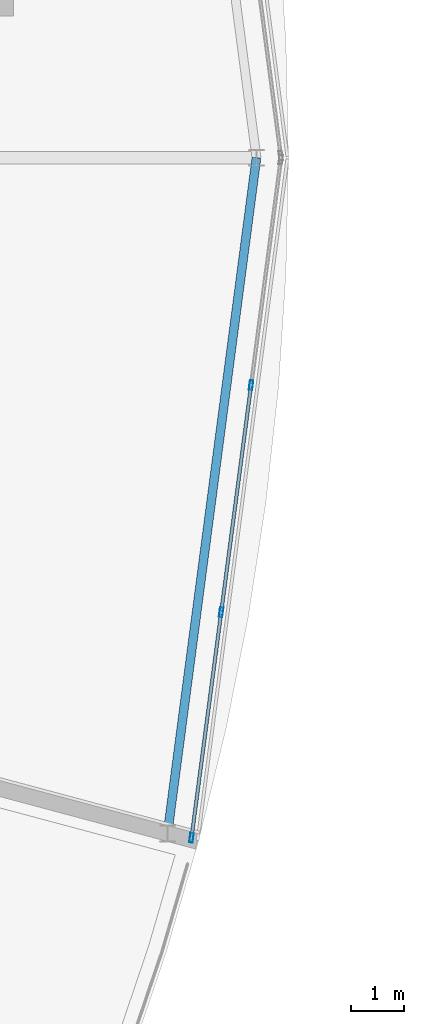
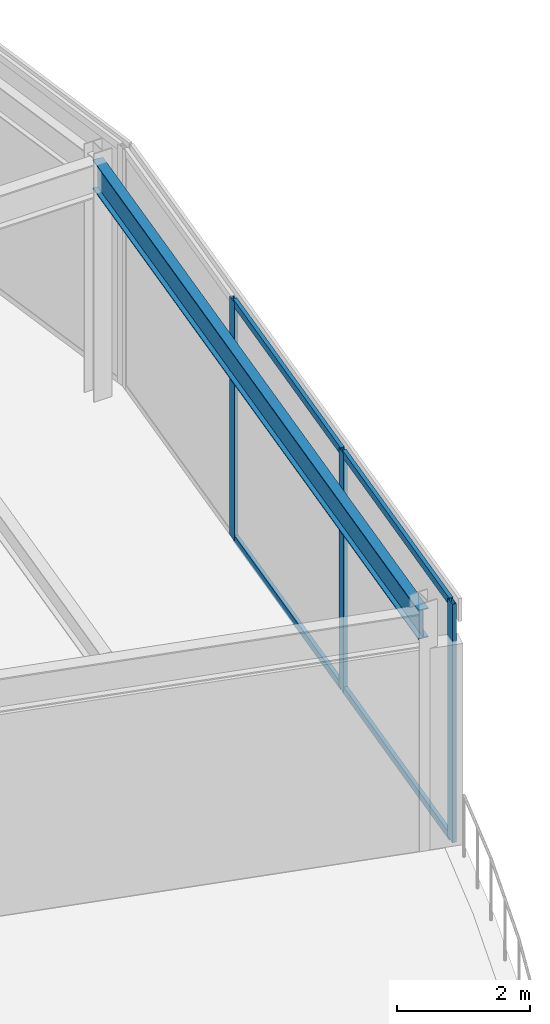
# One storey, part 70 of 116: 7 members, 1 beam, 1 element without a shape of its own.
"""IFC4 building model written with IfcOpenShell, lengths in metres."""

from ifc_helpers import new_model, si_unit, direction, frame, origin, origin_2d, place, context, subcontext, project, spatial, hollow_rectangle, i_section, extrude, material, material_profile, profile_set, type_object, element, aggregate, save


model = new_model("IFC4")

# Units and contexts
model_context = context("Model", 3, precision=1e-05, world=origin(), true_north=direction((0.0, 1.0)))
body_context = subcontext(model_context, "Body", "Model", "MODEL_VIEW")
ifc_project = project(units=[si_unit("LENGTHUNIT", "METRE"), si_unit("AREAUNIT", "SQUARE_METRE"), si_unit("VOLUMEUNIT", "CUBIC_METRE"), si_unit("PLANEANGLEUNIT", "RADIAN"), si_unit("MASSUNIT", "GRAM", prefix="KILO")], contexts=[model_context])

# Site, building, storey
site_placement = place(None, origin())
site = spatial("IfcSite", under=ifc_project, at=site_placement, CompositionType="ELEMENT")
building_placement = place(site_placement, origin())
building = spatial("IfcBuilding", under=site, at=building_placement, Name="Almandine Court Research Institute", CompositionType="ELEMENT")
storey_placement = place(building_placement, frame((0.0, 0.0, 14.35009765625)))
storey = spatial("IfcBuildingStorey", under=building, at=storey_placement, Name="L03", CompositionType="ELEMENT", Elevation=14.35009765625)

# Beam
ifc_material_1 = material(Name="Steel ASTM A992 Grade 50", Category="steel")
ifc_material_profile_1 = material_profile(ifc_material_1, i_section(OverallWidth=0.166015625, OverallDepth=0.534912109375, WebThickness=0.010009765625, FlangeThickness=0.01708984375, at=origin_2d()), Name="W530x85")
ifc_profile_set_1 = profile_set([ifc_material_profile_1], Name="Steel ASTM A992 Grade 50")
beam_type = type_object("IfcBeamType", Name="Beam-G-05-E", PredefinedType="SPANDREL", material=ifc_profile_set_1)
beam_placement = place(storey_placement, frame((134.23388671875, 43.343994140625, 4.055908203125), z_axis=(0.130512396599, 0.991446677504, 0.0), x_axis=(-0.991446677504, 0.130512396599, 0.0)))
element("IfcBeam", 1, at=beam_placement, inside=storey, type_object=beam_type, Name="L03 Drum OUT Ring Beam 23", PredefinedType="SPANDREL", context=body_context, shape_type="SweptSolid", body=[
    extrude(i_section(OverallWidth=0.166015625, OverallDepth=0.534912109375, WebThickness=0.010009765625, FlangeThickness=0.01708984375, at=origin_2d()), origin(), (0.0, 0.0, 1.0), 12.76513671875),
])

# Curtain wall, members
ifc_material_2 = material(Name="Unitised Curtain Wall Framing and Solar Glazing", Category="glass")
curtain_wall_type = type_object("IfcCurtainWallType", Name="CW-CWJ-19", PredefinedType="USERDEFINED", material=ifc_material_2)
curtain_wall_placement = place(storey_placement, origin())
curtain_wall = element("IfcCurtainWall", 2, at=curtain_wall_placement, inside=storey, type_object=curtain_wall_type, Name="L03 Stacked-Ring Drum Outer Solar Jali Screen 23", ObjectType="SOLAR JALI SCREEN", PredefinedType="USERDEFINED")
ifc_material_3 = material(Name="Anodised Aluminium AW-6063-T6", Category="aluminium")
ifc_material_profile_2 = material_profile(ifc_material_3, hollow_rectangle(XDim=0.06494140625, YDim=0.179931640625, WallThickness=0.00390625, at=origin_2d()), Name="ALU RHS 65x180x4")
ifc_profile_set_2 = profile_set([ifc_material_profile_2], Name="Anodised Aluminium AW-6063-T6")
member_type_1 = type_object("IfcMemberType", Name="CWMul-65x180", PredefinedType="MULLION", material=ifc_profile_set_2)
member_1_placement = place(storey_placement, frame((135.799560546875, 51.740234375, 0.0), z_axis=(0.0, 0.0, 1.0), x_axis=(0.991442926098, -0.130540891259, 0.0)))
member_1 = element("IfcMember", 3, at=member_1_placement, type_object=member_type_1, Name="CWJ-19 mullion 2", PredefinedType="MULLION", context=body_context, shape_type="SweptSolid", body=[
    extrude(hollow_rectangle(XDim=0.06494140625, YDim=0.179931640625, WallThickness=0.00390625, at=origin_2d()), origin(), (0.0, 0.0, 1.0), 4.369873046875),
])
member_2_placement = place(storey_placement, frame((135.2392578125, 47.484619140625, 0.0), z_axis=(0.0, 0.0, 1.0), x_axis=(0.991442926098, -0.130540891259, 0.0)))
member_2 = element("IfcMember", 4, at=member_2_placement, type_object=member_type_1, Name="CWJ-19 mullion 3", PredefinedType="MULLION", context=body_context, shape_type="SweptSolid", body=[
    extrude(hollow_rectangle(XDim=0.06494140625, YDim=0.179931640625, WallThickness=0.00390625, at=origin_2d()), origin(), (0.0, 0.0, 1.0), 4.369873046875),
])
member_3_placement = place(storey_placement, frame((134.683349609375, 43.26123046875, 0.0), z_axis=(0.0, 0.0, 1.0), x_axis=(0.991442926098, -0.130540891259, 0.0)))
member_3 = element("IfcMember", 5, at=member_3_placement, type_object=member_type_1, Name="CWJ-19 mullion 4", PredefinedType="MULLION", context=body_context, shape_type="SweptSolid", body=[
    extrude(hollow_rectangle(XDim=0.06494140625, YDim=0.179931640625, WallThickness=0.00390625, at=origin_2d()), origin(), (0.0, 0.0, 1.0), 4.369873046875),
])
ifc_material_profile_3 = material_profile(ifc_material_3, hollow_rectangle(XDim=0.06494140625, YDim=0.1298828125, WallThickness=0.00390625, at=origin_2d()), Name="ALU RHS 65x130x4")
ifc_profile_set_3 = profile_set([ifc_material_profile_3], Name="Anodised Aluminium AW-6063-T6")
member_type_2 = type_object("IfcMemberType", Name="CWTrn-65x130", PredefinedType="NOTDEFINED", material=ifc_profile_set_3)
member_4_placement = place(storey_placement, frame((135.79541015625, 51.7080078125, 0.032470703125), z_axis=(-0.130521740045, -0.991445447504, 0.0), x_axis=(0.991445447504, -0.130521740045, 0.0)))
member_4 = element("IfcMember", 6, at=member_4_placement, type_object=member_type_2, Name="CWJ-19 transom 2.1", ObjectType="TRANSOM", PredefinedType="USERDEFINED", context=body_context, shape_type="SweptSolid", body=[
    extrude(hollow_rectangle(XDim=0.06494140625, YDim=0.1298828125, WallThickness=0.00390625, at=origin_2d()), origin(), (0.0, 0.0, 1.0), 4.227294921875),
])
member_5_placement = place(storey_placement, frame((135.79541015625, 51.7080078125, 4.33740234375), z_axis=(-0.130521740045, -0.991445447504, 0.0), x_axis=(0.991445447504, -0.130521740045, 0.0)))
member_5 = element("IfcMember", 7, at=member_5_placement, type_object=member_type_2, Name="CWJ-19 transom 2.2", ObjectType="TRANSOM", PredefinedType="USERDEFINED", context=body_context, shape_type="SweptSolid", body=[
    extrude(hollow_rectangle(XDim=0.06494140625, YDim=0.1298828125, WallThickness=0.00390625, at=origin_2d()), origin(), (0.0, 0.0, 1.0), 4.227294921875),
])
member_6_placement = place(storey_placement, frame((135.235107421875, 47.452392578125, 0.032470703125), z_axis=(-0.130543337873, -0.991442603955, 0.0), x_axis=(0.991442603955, -0.130543337873, 0.0)))
member_6 = element("IfcMember", 8, at=member_6_placement, type_object=member_type_2, Name="CWJ-19 transom 3.1", ObjectType="TRANSOM", PredefinedType="USERDEFINED", context=body_context, shape_type="SweptSolid", body=[
    extrude(hollow_rectangle(XDim=0.06494140625, YDim=0.1298828125, WallThickness=0.00390625, at=origin_2d()), origin(), (0.0, 0.0, 1.0), 4.19482421875),
])
member_7_placement = place(storey_placement, frame((135.235107421875, 47.452392578125, 4.33740234375), z_axis=(-0.130543337873, -0.991442603955, 0.0), x_axis=(0.991442603955, -0.130543337873, 0.0)))
member_7 = element("IfcMember", 9, at=member_7_placement, type_object=member_type_2, Name="CWJ-19 transom 3.2", ObjectType="TRANSOM", PredefinedType="USERDEFINED", context=body_context, shape_type="SweptSolid", body=[
    extrude(hollow_rectangle(XDim=0.06494140625, YDim=0.1298828125, WallThickness=0.00390625, at=origin_2d()), origin(), (0.0, 0.0, 1.0), 4.19482421875),
])
aggregate(curtain_wall, [member_1, member_2, member_3, member_4, member_5, member_6, member_7])

save(model, "model.ifc")
